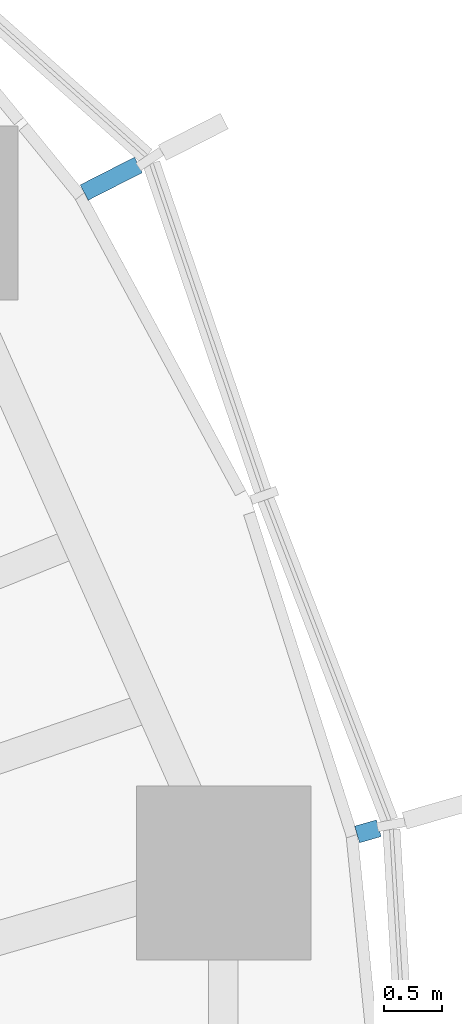
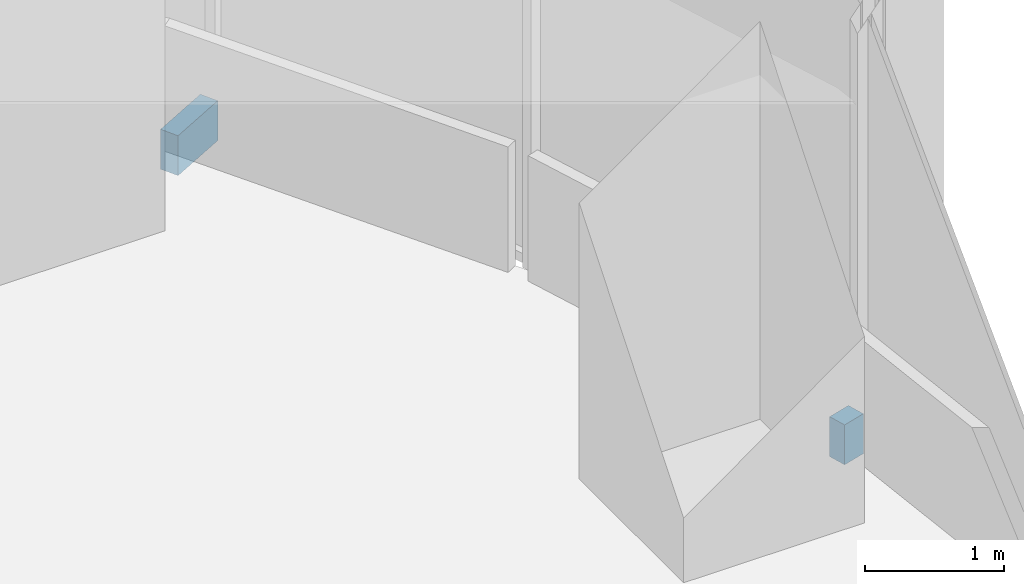
# One storey, part 16 of 18: 2 discrete accessories.
"""IFC4 building model written with IfcOpenShell, lengths in metres."""

import ifcopenshell
import ifcopenshell.guid

model = None  # the IFC model being written
_history = None  # IfcOwnerHistory: only IFC2X3 demands one
_inside = {}  # id of a spatial element -> (the spatial element, [elements in it])
_under = {}  # id of a project, library or spatial element -> (it, [spatial elements below it])
_declared = {}  # id of a project -> (the project, [libraries it declares])
_typed = {}  # id of a type object -> (the type object, [elements of that type])
_made_of = {}  # id of a material, layer set ... -> (it, [elements and type objects made of it])


def new_model(schema):
    """Start an empty IFC model of exactly this schema.

    Asked for "IFC4X3", IfcOpenShell would pick the latest addendum, in which some entities
    have other attributes; the version numbers below select the first issue.
    IFC2X3 requires an IfcOwnerHistory on every rooted entity: one is made here for all.
    """
    global model, _history
    if schema == "IFC4X3":
        model = ifcopenshell.file(schema_version=(4, 3, 0, 0))
    else:
        model = ifcopenshell.file(schema=schema)
    _inside.clear()
    _under.clear()
    _declared.clear()
    _typed.clear()
    _made_of.clear()
    _history = None
    if model.schema == "IFC2X3":
        org = make("IfcOrganization", Name="unknown")
        user = make(
            "IfcPersonAndOrganization",
            ThePerson=make("IfcPerson", FamilyName="unknown"),
            TheOrganization=org,
        )
        app = make(
            "IfcApplication",
            ApplicationDeveloper=org,
            Version="unknown",
            ApplicationFullName="unknown",
            ApplicationIdentifier="unknown",
        )
        _history = make(
            "IfcOwnerHistory",
            OwningUser=user,
            OwningApplication=app,
            ChangeAction="ADDED",
            CreationDate=0,
        )
    return model


def make(cls, **values):
    """One entity of the class cls with the attributes given. An attribute that is None is left unset."""
    return model.create_entity(
        cls, **{name: value for name, value in values.items() if value is not None}
    )


def rooted(cls, **values):
    """An entity with a GlobalId (a new one), such as an element, a storey or a relation."""
    return make(cls, GlobalId=ifcopenshell.guid.new(), OwnerHistory=_history, **values)


def si_unit(unit_type, name, prefix=None):
    """IfcSIUnit, for example si_unit("LENGTHUNIT", "METRE", prefix="MILLI")."""
    return make("IfcSIUnit", UnitType=unit_type, Prefix=prefix, Name=name)


def assignment(units):
    """IfcUnitAssignment: the units of a project."""
    return None if units is None else make("IfcUnitAssignment", Units=units)


def point(xyz):
    """IfcCartesianPoint."""
    return None if xyz is None else make("IfcCartesianPoint", Coordinates=xyz)


def direction(xyz):
    """IfcDirection."""
    return None if xyz is None else make("IfcDirection", DirectionRatios=xyz)


def frame(location, z_axis=None, x_axis=None):
    """IfcAxis2Placement3D, a coordinate frame: its origin and axes. An axis left out is left unset."""
    return make(
        "IfcAxis2Placement3D",
        Location=point(location),
        Axis=direction(z_axis),
        RefDirection=direction(x_axis),
    )


def frame_2d(location, x_axis=None):
    """IfcAxis2Placement2D, a coordinate frame in the plane: its origin and x axis."""
    return make(
        "IfcAxis2Placement2D", Location=point(location), RefDirection=direction(x_axis)
    )


def origin():
    """The frame at (0, 0, 0) with its axes left unset."""
    return frame((0.0, 0.0, 0.0))


def origin_2d():
    """The frame at (0, 0) in the plane with its x axis left unset."""
    return frame_2d((0.0, 0.0))


def place(relative_to, where):
    """IfcLocalPlacement: puts the frame where relative to a parent placement (None: the world)."""
    return make(
        "IfcLocalPlacement", PlacementRelTo=relative_to, RelativePlacement=where
    )


def context(
    kind, dimensions, precision=None, world=None, true_north=None, identifier=None
):
    """IfcGeometricRepresentationContext, for example the 3D "Model" context."""
    return make(
        "IfcGeometricRepresentationContext",
        ContextIdentifier=identifier,
        ContextType=kind,
        CoordinateSpaceDimension=dimensions,
        Precision=precision,
        WorldCoordinateSystem=world,
        TrueNorth=true_north,
    )


def subcontext(parent, identifier, kind, view, scale=None):
    """IfcGeometricRepresentationSubContext, for example "Body" below "Model"."""
    return make(
        "IfcGeometricRepresentationSubContext",
        ContextIdentifier=identifier,
        ContextType=kind,
        ParentContext=parent,
        TargetScale=scale,
        TargetView=view,
    )


def project(units=None, contexts=None):
    """IfcProject with its units and contexts."""
    return rooted(
        "IfcProject",
        Name="project",
        RepresentationContexts=contexts,
        UnitsInContext=assignment(units),
    )


def spatial(cls, under=None, at=None, **own):
    """A site, building, storey or space (cls), placed at a placement, below another one or the project."""
    s = rooted(cls, ObjectPlacement=at, **own)
    if under is not None:
        _under.setdefault(under.id(), (under, []))[1].append(s)
    return s


def profile(cls, at=None, kind="AREA", **sizes):
    """A parametric profile (cls). Its sizes go by their IFC names, for example OverallWidth=200.0."""
    return make(cls, ProfileType=kind, Position=at, **sizes)


def rectangle(**sizes):
    """IfcRectangleProfileDef."""
    return profile("IfcRectangleProfileDef", **sizes)


def extrude(swept, where, along, depth):
    """IfcExtrudedAreaSolid: the profile swept, set in the frame where, extruded along a direction by depth."""
    return make(
        "IfcExtrudedAreaSolid",
        SweptArea=swept,
        Position=where,
        ExtrudedDirection=direction(along),
        Depth=depth,
    )


def shape(context_of_items, identifier, shape_type, items):
    """IfcShapeRepresentation: the items that make up one representation, for example the "Body"."""
    return make(
        "IfcShapeRepresentation",
        ContextOfItems=context_of_items,
        RepresentationIdentifier=identifier,
        RepresentationType=shape_type,
        Items=items,
    )


def material(Name=None, Category=None):
    """IfcMaterial."""
    return make("IfcMaterial", Name=Name, Category=Category)


def made_of(thing, what):
    """Note that an element or type object is made of a material, layer set ...; save() writes the relation."""
    if what is not None:
        _made_of.setdefault(what.id(), (what, []))[1].append(thing)
    return thing


def type_object(cls, material=None, **own):
    """A type object (cls), such as IfcWallType, which elements share."""
    return made_of(rooted(cls, **own), material)


def element(
    cls,
    number,
    at=None,
    inside=None,
    cuts=None,
    type_object=None,
    material=None,
    context=None,
    identifier="Body",
    shape_type=None,
    held_by="IfcProductDefinitionShape",
    body=None,
    shapes=None,
    **own,
):
    """One element of the class cls, such as IfcWall. Its Tag is "e" and its number.

    at: its placement. inside: the storey or other place that contains it. cuts: it is an
    opening in that element (IfcRelVoidsElement). A single representation is given by context,
    identifier, shape_type and body (its items); several are given by shapes. held_by: the class
    of the entity that holds the representations. save() writes the other relations.
    """
    e = rooted(cls, Tag="e%d" % number, ObjectPlacement=at, **own)
    if body is not None:
        shapes = [shape(context, identifier, shape_type, body)]
    if shapes is not None:
        e.Representation = make(held_by, Representations=shapes)
    if inside is not None:
        _inside.setdefault(inside.id(), (inside, []))[1].append(e)
    if cuts is not None:
        rooted(
            "IfcRelVoidsElement", RelatingBuildingElement=cuts, RelatedOpeningElement=e
        )
    if type_object is not None:
        _typed.setdefault(type_object.id(), (type_object, []))[1].append(e)
    return made_of(e, material)


def aggregate(whole, parts):
    """IfcRelAggregates: a whole, such as a stair, and the parts it consists of."""
    return rooted("IfcRelAggregates", RelatingObject=whole, RelatedObjects=parts)


def save(model, path):
    """Write the relations noted so far, then the file.

    IfcRelAggregates (storeys below a building ...), IfcRelContainedInSpatialStructure (elements
    in a storey), IfcRelDefinesByType, IfcRelAssociatesMaterial and IfcRelDeclares: one each for
    every whole, place, type object, material and project.
    """
    for whole, parts in _under.values():
        aggregate(whole, parts)
    for where, things in _inside.values():
        rooted(
            "IfcRelContainedInSpatialStructure",
            RelatedElements=things,
            RelatingStructure=where,
        )
    for kind, things in _typed.values():
        rooted("IfcRelDefinesByType", RelatedObjects=things, RelatingType=kind)
    for what, things in _made_of.values():
        rooted("IfcRelAssociatesMaterial", RelatedObjects=things, RelatingMaterial=what)
    for by, libraries in _declared.values():
        rooted("IfcRelDeclares", RelatingContext=by, RelatedDefinitions=libraries)
    model.write(path)


model = new_model("IFC4")

# Units and contexts
model_context = context("Model", 3, precision=1e-05, world=origin(), true_north=direction((0.0, 1.0)))
body_context = subcontext(model_context, "Body", "Model", "MODEL_VIEW")
ifc_project = project(units=[si_unit("LENGTHUNIT", "METRE"), si_unit("AREAUNIT", "SQUARE_METRE"), si_unit("VOLUMEUNIT", "CUBIC_METRE"), si_unit("PLANEANGLEUNIT", "RADIAN"), si_unit("MASSUNIT", "GRAM", prefix="KILO")], contexts=[model_context])

# Site, building, storey
site_placement = place(None, origin())
site = spatial("IfcSite", under=ifc_project, at=site_placement, CompositionType="ELEMENT")
building_placement = place(site_placement, origin())
building = spatial("IfcBuilding", under=site, at=building_placement, Name="Ghaith Harvest Tower", CompositionType="ELEMENT")
storey_placement = place(building_placement, frame((0.0, 0.0, 142.800048828125)))
storey = spatial("IfcBuildingStorey", under=building, at=storey_placement, Name="L30", CompositionType="ELEMENT", Elevation=142.800048828125)

# Discrete accessories
ifc_material_1 = material(Name="Stainless steel grade 1.4401", Category="steel")
discrete_accessory_type_1 = type_object("IfcDiscreteAccessoryType", Name="CURTAIN WALL BRACKET 195", PredefinedType="BRACKET", material=ifc_material_1)
discrete_accessory_1_placement = place(storey_placement, frame((30.528076171875, 8.8232421875, -0.25), z_axis=(0.0, 0.0, 1.0), x_axis=(0.960680349985, 0.277656739792, 0.0)))
element("IfcDiscreteAccessory", 1, at=discrete_accessory_1_placement, inside=storey, type_object=discrete_accessory_type_1, Name="CW-L bracket 1 bay 02 L30", PredefinedType="BRACKET", context=body_context, shape_type="SweptSolid", body=[
    extrude(rectangle(XDim=0.195068359375, YDim=0.14990234375, at=origin_2d()), origin(), (0.0, 0.0, 1.0), 0.35009765625),
])
ifc_material_2 = material(Name="Stainless steel grade 1.4401", Category="steel")
discrete_accessory_type_2 = type_object("IfcDiscreteAccessoryType", Name="CURTAIN WALL BRACKET 525", PredefinedType="BRACKET", material=ifc_material_2)
discrete_accessory_2_placement = place(storey_placement, frame((28.318115234375, 14.442626953125, -0.25), z_axis=(0.0, 0.0, 1.0), x_axis=(0.890830752257, 0.454335306611, 0.0)))
element("IfcDiscreteAccessory", 2, at=discrete_accessory_2_placement, inside=storey, type_object=discrete_accessory_type_2, Name="CW-L bracket 3 bay 02 L30", PredefinedType="BRACKET", context=body_context, shape_type="SweptSolid", body=[
    extrude(rectangle(XDim=0.52490234375, YDim=0.14990234375, at=origin_2d()), origin(), (0.0, 0.0, 1.0), 0.35009765625),
])

save(model, "model.ifc")
